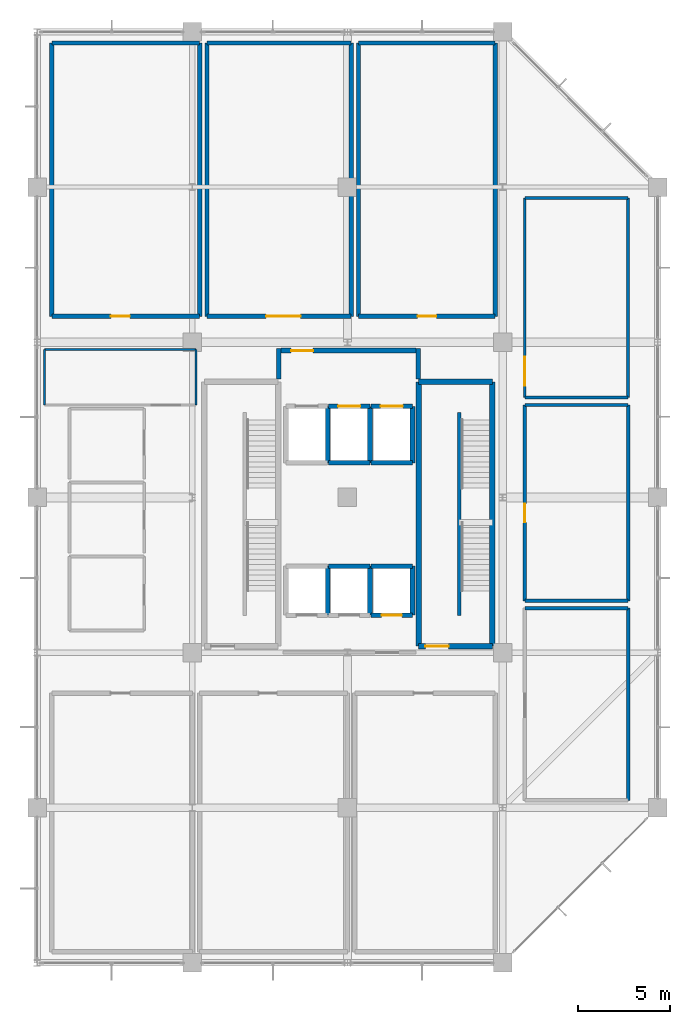
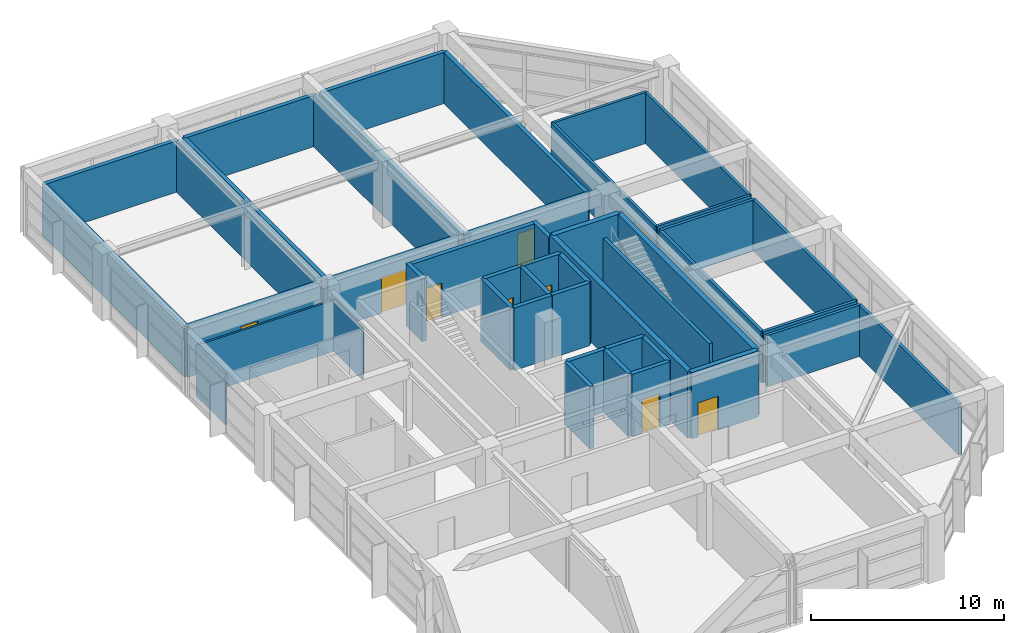
# One storey, part 13 of 15: 46 walls, 10 doors, 10 openings.
"""IFC4 building model written with IfcOpenShell, lengths in metres."""

import ifcopenshell
import ifcopenshell.guid

model = None  # the IFC model being written
_history = None  # IfcOwnerHistory: only IFC2X3 demands one
_inside = {}  # id of a spatial element -> (the spatial element, [elements in it])
_under = {}  # id of a project, library or spatial element -> (it, [spatial elements below it])
_declared = {}  # id of a project -> (the project, [libraries it declares])
_typed = {}  # id of a type object -> (the type object, [elements of that type])
_made_of = {}  # id of a material, layer set ... -> (it, [elements and type objects made of it])


def new_model(schema):
    """Start an empty IFC model of exactly this schema.

    Asked for "IFC4X3", IfcOpenShell would pick the latest addendum, in which some entities
    have other attributes; the version numbers below select the first issue.
    IFC2X3 requires an IfcOwnerHistory on every rooted entity: one is made here for all.
    """
    global model, _history
    if schema == "IFC4X3":
        model = ifcopenshell.file(schema_version=(4, 3, 0, 0))
    else:
        model = ifcopenshell.file(schema=schema)
    _inside.clear()
    _under.clear()
    _declared.clear()
    _typed.clear()
    _made_of.clear()
    _history = None
    if model.schema == "IFC2X3":
        org = make("IfcOrganization", Name="unknown")
        user = make(
            "IfcPersonAndOrganization",
            ThePerson=make("IfcPerson", FamilyName="unknown"),
            TheOrganization=org,
        )
        app = make(
            "IfcApplication",
            ApplicationDeveloper=org,
            Version="unknown",
            ApplicationFullName="unknown",
            ApplicationIdentifier="unknown",
        )
        _history = make(
            "IfcOwnerHistory",
            OwningUser=user,
            OwningApplication=app,
            ChangeAction="ADDED",
            CreationDate=0,
        )
    return model


def make(cls, **values):
    """One entity of the class cls with the attributes given. An attribute that is None is left unset."""
    return model.create_entity(
        cls, **{name: value for name, value in values.items() if value is not None}
    )


def rooted(cls, **values):
    """An entity with a GlobalId (a new one), such as an element, a storey or a relation."""
    return make(cls, GlobalId=ifcopenshell.guid.new(), OwnerHistory=_history, **values)


def si_unit(unit_type, name, prefix=None):
    """IfcSIUnit, for example si_unit("LENGTHUNIT", "METRE", prefix="MILLI")."""
    return make("IfcSIUnit", UnitType=unit_type, Prefix=prefix, Name=name)


def assignment(units):
    """IfcUnitAssignment: the units of a project."""
    return None if units is None else make("IfcUnitAssignment", Units=units)


def point(xyz):
    """IfcCartesianPoint."""
    return None if xyz is None else make("IfcCartesianPoint", Coordinates=xyz)


def direction(xyz):
    """IfcDirection."""
    return None if xyz is None else make("IfcDirection", DirectionRatios=xyz)


def frame(location, z_axis=None, x_axis=None):
    """IfcAxis2Placement3D, a coordinate frame: its origin and axes. An axis left out is left unset."""
    return make(
        "IfcAxis2Placement3D",
        Location=point(location),
        Axis=direction(z_axis),
        RefDirection=direction(x_axis),
    )


def frame_2d(location, x_axis=None):
    """IfcAxis2Placement2D, a coordinate frame in the plane: its origin and x axis."""
    return make(
        "IfcAxis2Placement2D", Location=point(location), RefDirection=direction(x_axis)
    )


def origin():
    """The frame at (0, 0, 0) with its axes left unset."""
    return frame((0.0, 0.0, 0.0))


def place(relative_to, where):
    """IfcLocalPlacement: puts the frame where relative to a parent placement (None: the world)."""
    return make(
        "IfcLocalPlacement", PlacementRelTo=relative_to, RelativePlacement=where
    )


def context(
    kind, dimensions, precision=None, world=None, true_north=None, identifier=None
):
    """IfcGeometricRepresentationContext, for example the 3D "Model" context."""
    return make(
        "IfcGeometricRepresentationContext",
        ContextIdentifier=identifier,
        ContextType=kind,
        CoordinateSpaceDimension=dimensions,
        Precision=precision,
        WorldCoordinateSystem=world,
        TrueNorth=true_north,
    )


def subcontext(parent, identifier, kind, view, scale=None):
    """IfcGeometricRepresentationSubContext, for example "Body" below "Model"."""
    return make(
        "IfcGeometricRepresentationSubContext",
        ContextIdentifier=identifier,
        ContextType=kind,
        ParentContext=parent,
        TargetScale=scale,
        TargetView=view,
    )


def project(units=None, contexts=None):
    """IfcProject with its units and contexts."""
    return rooted(
        "IfcProject",
        Name="project",
        RepresentationContexts=contexts,
        UnitsInContext=assignment(units),
    )


def spatial(cls, under=None, at=None, **own):
    """A site, building, storey or space (cls), placed at a placement, below another one or the project."""
    s = rooted(cls, ObjectPlacement=at, **own)
    if under is not None:
        _under.setdefault(under.id(), (under, []))[1].append(s)
    return s


def profile(cls, at=None, kind="AREA", **sizes):
    """A parametric profile (cls). Its sizes go by their IFC names, for example OverallWidth=200.0."""
    return make(cls, ProfileType=kind, Position=at, **sizes)


def rectangle(**sizes):
    """IfcRectangleProfileDef."""
    return profile("IfcRectangleProfileDef", **sizes)


def extrude(swept, where, along, depth):
    """IfcExtrudedAreaSolid: the profile swept, set in the frame where, extruded along a direction by depth."""
    return make(
        "IfcExtrudedAreaSolid",
        SweptArea=swept,
        Position=where,
        ExtrudedDirection=direction(along),
        Depth=depth,
    )


def shape(context_of_items, identifier, shape_type, items):
    """IfcShapeRepresentation: the items that make up one representation, for example the "Body"."""
    return make(
        "IfcShapeRepresentation",
        ContextOfItems=context_of_items,
        RepresentationIdentifier=identifier,
        RepresentationType=shape_type,
        Items=items,
    )


def material(Name=None, Category=None):
    """IfcMaterial."""
    return make("IfcMaterial", Name=Name, Category=Category)


def layer(
    of_material, thickness, ventilated=None, Name=None, Category=None, Priority=None
):
    """IfcMaterialLayer: one layer of a wall or slab, of a material (None: an air gap)."""
    return make(
        "IfcMaterialLayer",
        Material=of_material,
        LayerThickness=thickness,
        IsVentilated=ventilated,
        Name=Name,
        Category=Category,
        Priority=Priority,
    )


def layer_set(layers, Name=None):
    """IfcMaterialLayerSet."""
    return make("IfcMaterialLayerSet", MaterialLayers=layers, LayerSetName=Name)


def made_of(thing, what):
    """Note that an element or type object is made of a material, layer set ...; save() writes the relation."""
    if what is not None:
        _made_of.setdefault(what.id(), (what, []))[1].append(thing)
    return thing


def type_object(cls, material=None, **own):
    """A type object (cls), such as IfcWallType, which elements share."""
    return made_of(rooted(cls, **own), material)


def element(
    cls,
    number,
    at=None,
    inside=None,
    cuts=None,
    type_object=None,
    material=None,
    context=None,
    identifier="Body",
    shape_type=None,
    held_by="IfcProductDefinitionShape",
    body=None,
    shapes=None,
    **own,
):
    """One element of the class cls, such as IfcWall. Its Tag is "e" and its number.

    at: its placement. inside: the storey or other place that contains it. cuts: it is an
    opening in that element (IfcRelVoidsElement). A single representation is given by context,
    identifier, shape_type and body (its items); several are given by shapes. held_by: the class
    of the entity that holds the representations. save() writes the other relations.
    """
    e = rooted(cls, Tag="e%d" % number, ObjectPlacement=at, **own)
    if body is not None:
        shapes = [shape(context, identifier, shape_type, body)]
    if shapes is not None:
        e.Representation = make(held_by, Representations=shapes)
    if inside is not None:
        _inside.setdefault(inside.id(), (inside, []))[1].append(e)
    if cuts is not None:
        rooted(
            "IfcRelVoidsElement", RelatingBuildingElement=cuts, RelatedOpeningElement=e
        )
    if type_object is not None:
        _typed.setdefault(type_object.id(), (type_object, []))[1].append(e)
    return made_of(e, material)


def fill(opening, filler):
    """IfcRelFillsElement: the door or window that sits in an opening."""
    return rooted(
        "IfcRelFillsElement",
        RelatingOpeningElement=opening,
        RelatedBuildingElement=filler,
    )


def aggregate(whole, parts):
    """IfcRelAggregates: a whole, such as a stair, and the parts it consists of."""
    return rooted("IfcRelAggregates", RelatingObject=whole, RelatedObjects=parts)


def save(model, path):
    """Write the relations noted so far, then the file.

    IfcRelAggregates (storeys below a building ...), IfcRelContainedInSpatialStructure (elements
    in a storey), IfcRelDefinesByType, IfcRelAssociatesMaterial and IfcRelDeclares: one each for
    every whole, place, type object, material and project.
    """
    for whole, parts in _under.values():
        aggregate(whole, parts)
    for where, things in _inside.values():
        rooted(
            "IfcRelContainedInSpatialStructure",
            RelatedElements=things,
            RelatingStructure=where,
        )
    for kind, things in _typed.values():
        rooted("IfcRelDefinesByType", RelatedObjects=things, RelatingType=kind)
    for what, things in _made_of.values():
        rooted("IfcRelAssociatesMaterial", RelatedObjects=things, RelatingMaterial=what)
    for by, libraries in _declared.values():
        rooted("IfcRelDeclares", RelatingContext=by, RelatedDefinitions=libraries)
    model.write(path)


model = new_model("IFC4")

# Units and contexts
model_context = context("Model", 3, precision=1e-05, world=origin(), true_north=direction((0.0, 1.0)))
body_context = subcontext(model_context, "Body", "Model", "MODEL_VIEW")
ifc_project = project(units=[si_unit("LENGTHUNIT", "METRE"), si_unit("AREAUNIT", "SQUARE_METRE"), si_unit("VOLUMEUNIT", "CUBIC_METRE"), si_unit("PLANEANGLEUNIT", "RADIAN"), si_unit("MASSUNIT", "GRAM", prefix="KILO")], contexts=[model_context])

# Site, building, storey
site_placement = place(None, origin())
site = spatial("IfcSite", under=ifc_project, at=site_placement, CompositionType="ELEMENT")
building_placement = place(site_placement, origin())
building = spatial("IfcBuilding", under=site, at=building_placement, Name="Xuanlan Plaza Opera House", CompositionType="ELEMENT")
storey_placement = place(building_placement, frame((0.0, 0.0, 53.10009765625)))
storey = spatial("IfcBuildingStorey", under=building, at=storey_placement, Name="L12", CompositionType="ELEMENT", Elevation=53.10009765625)

# Wall, opening, door
ifc_material_1 = material(Name="Gypsum Board and Galvanised Steel Studs", Category="gypsum")
ifc_layer_1 = layer(ifc_material_1, 0.239990234375)
ifc_layer_set_1 = layer_set([ifc_layer_1], Name="Gypsum Board and Galvanised Steel Studs")
wall_type_1 = type_object("IfcWallType", Name="INT-WL-PW-01", PredefinedType="PARTITIONING", material=ifc_layer_set_1)
wall_1_placement = place(storey_placement, frame((126.800048828125, 68.60009765625, 0.0), z_axis=(0.0, 0.0, 1.0), x_axis=(1.0, 0.0, 0.0)))
wall_1 = element("IfcWall", 1, at=wall_1_placement, inside=storey, type_object=wall_type_1, Name="Chamber Coaching Studio 1 Wall South", PredefinedType="PARTITIONING", context=body_context, shape_type="SweptSolid", body=[
    extrude(rectangle(XDim=8.0, YDim=0.239990234375, at=frame_2d((4.0, 0.0))), origin(), (0.0, 0.0, 1.0), 3.239990234375),
])
opening_1_placement = place(wall_1_placement, frame((3.199951171875, 0.0, 0.0)))
opening_1 = element("IfcOpeningElement", 2, at=opening_1_placement, cuts=wall_1, Name="Opening D-02", PredefinedType="OPENING", context=body_context, shape_type="SweptSolid", body=[
    extrude(rectangle(XDim=1.02001953125, YDim=2.10009765625, at=frame_2d((0.510009765625, 1.050048828125))), frame((0.0, 0.1298828125, 0.0), z_axis=(0.0, -1.0, 0.0), x_axis=(1.0, 0.0, 0.0)), (0.0, 0.0, 1.0), 0.260009765625),
])
ifc_material_2 = material(Name="Oak Hardwood Timber", Category="wood")
door_type_1 = type_object("IfcDoorType", Name="INT-DR-D-02", OperationType="NOTDEFINED", PredefinedType="DOOR", material=ifc_material_2)
door_1_placement = place(opening_1_placement, origin())
door_1 = element("IfcDoor", 3, at=door_1_placement, inside=storey, type_object=door_type_1, Name="Chamber Coaching Studio 1 Door 1", OperationType="SINGLE_SWING_LEFT", OverallHeight=2.10009765625, OverallWidth=1.02001953125, PredefinedType="DOOR", context=body_context, shape_type="SweptSolid", body=[
    extrude(rectangle(XDim=1.02001953125, YDim=2.10009765625, at=frame_2d((0.510009765625, 1.050048828125))), frame((0.0, 0.02490234375, 0.0), z_axis=(0.0, -1.0, 0.0), x_axis=(1.0, 0.0, 0.0)), (0.0, 0.0, 1.0), 0.050048828125),
])
fill(opening_1, door_1)

# Walls
wall_2_placement = place(storey_placement, frame((126.800048828125, 83.39990234375, 0.0), z_axis=(0.0, 0.0, 1.0), x_axis=(1.0, 0.0, 0.0)))
element("IfcWall", 4, at=wall_2_placement, inside=storey, type_object=wall_type_1, Name="Chamber Coaching Studio 1 Wall North", PredefinedType="PARTITIONING", context=body_context, shape_type="SweptSolid", body=[
    extrude(rectangle(XDim=8.0, YDim=0.239990234375, at=frame_2d((4.0, 0.0))), origin(), (0.0, 0.0, 1.0), 3.239990234375),
])
for number, where, z_axis, x_axis, name in (
    (5, (126.800048828125, 68.60009765625, 0.0), (0.0, 0.0, 1.0), (0.0, 1.0, 0.0), "Chamber Coaching Studio 1 Wall West"),
    (6, (134.800048828125, 68.60009765625, 0.0), (0.0, 0.0, 1.0), (0.0, 1.0, 0.0), "Chamber Coaching Studio 1 Wall East"),
):
    element("IfcWall", number, at=place(storey_placement, frame(where, z_axis=z_axis, x_axis=x_axis)), inside=storey, type_object=wall_type_1, Name=name, PredefinedType="PARTITIONING", context=body_context, shape_type="SweptSolid", body=[
        extrude(rectangle(XDim=14.7998046875, YDim=0.239990234375, at=frame_2d((7.39990234375, 0.0))), origin(), (0.0, 0.0, 1.0), 3.239990234375),
    ])

# Wall, opening, door
wall_3_placement = place(storey_placement, frame((135.199951171875, 68.60009765625, 0.0), z_axis=(0.0, 0.0, 1.0), x_axis=(1.0, 0.0, 0.0)))
wall_3 = element("IfcWall", 7, at=wall_3_placement, inside=storey, type_object=wall_type_1, Name="Chamber Coaching Studio 2 Wall South", PredefinedType="PARTITIONING", context=body_context, shape_type="SweptSolid", body=[
    extrude(rectangle(XDim=7.800048828125, YDim=0.239990234375, at=frame_2d((3.89990234375, 0.0))), origin(), (0.0, 0.0, 1.0), 3.239990234375),
])
opening_2_placement = place(wall_3_placement, frame((3.199951171875, 0.0, 0.0)))
opening_2 = element("IfcOpeningElement", 8, at=opening_2_placement, cuts=wall_3, Name="Opening D-15", PredefinedType="OPENING", context=body_context, shape_type="SweptSolid", body=[
    extrude(rectangle(XDim=1.860107421875, YDim=2.260009765625, at=frame_2d((0.93017578125, 1.1298828125))), frame((0.0, 0.1298828125, 0.0), z_axis=(0.0, -1.0, 0.0), x_axis=(1.0, 0.0, 0.0)), (0.0, 0.0, 1.0), 0.260009765625),
])
ifc_material_3 = material(Name="Walnut Hardwood Timber", Category="wood")
door_type_2 = type_object("IfcDoorType", Name="INT-DR-D-15", OperationType="DOUBLE_DOOR_SINGLE_SWING", PredefinedType="DOOR", material=ifc_material_3)
door_2_placement = place(opening_2_placement, origin())
door_2 = element("IfcDoor", 9, at=door_2_placement, inside=storey, type_object=door_type_2, Name="Chamber Coaching Studio 2 Door 1", OperationType="DOUBLE_DOOR_SINGLE_SWING", OverallHeight=2.260009765625, OverallWidth=1.860107421875, PredefinedType="DOOR", context=body_context, shape_type="SweptSolid", body=[
    extrude(rectangle(XDim=1.860107421875, YDim=2.260009765625, at=frame_2d((0.93017578125, 1.1298828125))), frame((0.0, 0.02490234375, 0.0), z_axis=(0.0, -1.0, 0.0), x_axis=(1.0, 0.0, 0.0)), (0.0, 0.0, 1.0), 0.050048828125),
])
fill(opening_2, door_2)

# Walls
wall_4_placement = place(storey_placement, frame((135.199951171875, 83.39990234375, 0.0), z_axis=(0.0, 0.0, 1.0), x_axis=(1.0, 0.0, 0.0)))
element("IfcWall", 10, at=wall_4_placement, inside=storey, type_object=wall_type_1, Name="Chamber Coaching Studio 2 Wall North", PredefinedType="PARTITIONING", context=body_context, shape_type="SweptSolid", body=[
    extrude(rectangle(XDim=7.800048828125, YDim=0.239990234375, at=frame_2d((3.89990234375, 0.0))), origin(), (0.0, 0.0, 1.0), 3.239990234375),
])
for number, where, z_axis, x_axis, name in (
    (11, (135.199951171875, 68.60009765625, 0.0), (0.0, 0.0, 1.0), (0.0, 1.0, 0.0), "Chamber Coaching Studio 2 Wall West"),
    (12, (143.0, 68.60009765625, 0.0), (0.0, 0.0, 1.0), (0.0, 1.0, 0.0), "Chamber Coaching Studio 2 Wall East"),
):
    element("IfcWall", number, at=place(storey_placement, frame(where, z_axis=z_axis, x_axis=x_axis)), inside=storey, type_object=wall_type_1, Name=name, PredefinedType="PARTITIONING", context=body_context, shape_type="SweptSolid", body=[
        extrude(rectangle(XDim=14.7998046875, YDim=0.239990234375, at=frame_2d((7.39990234375, 0.0))), origin(), (0.0, 0.0, 1.0), 3.239990234375),
    ])

# Wall, opening, door
wall_5_placement = place(storey_placement, frame((143.39990234375, 68.60009765625, 0.0), z_axis=(0.0, 0.0, 1.0), x_axis=(1.0, 0.0, 0.0)))
wall_5 = element("IfcWall", 13, at=wall_5_placement, inside=storey, type_object=wall_type_1, Name="Chamber Coaching Studio 3 Wall South", PredefinedType="PARTITIONING", context=body_context, shape_type="SweptSolid", body=[
    extrude(rectangle(XDim=7.400146484375, YDim=0.239990234375, at=frame_2d((3.7001953125, 0.0))), origin(), (0.0, 0.0, 1.0), 3.239990234375),
])
opening_3_placement = place(wall_5_placement, frame((3.199951171875, 0.0, 0.0)))
opening_3 = element("IfcOpeningElement", 14, at=opening_3_placement, cuts=wall_5, Name="Opening D-02", PredefinedType="OPENING", context=body_context, shape_type="SweptSolid", body=[
    extrude(rectangle(XDim=1.02001953125, YDim=2.10009765625, at=frame_2d((0.510009765625, 1.050048828125))), frame((0.0, 0.1298828125, 0.0), z_axis=(0.0, -1.0, 0.0), x_axis=(1.0, 0.0, 0.0)), (0.0, 0.0, 1.0), 0.260009765625),
])
door_3_placement = place(opening_3_placement, origin())
door_3 = element("IfcDoor", 15, at=door_3_placement, inside=storey, type_object=door_type_1, Name="Chamber Coaching Studio 3 Door 1", OperationType="SINGLE_SWING_LEFT", OverallHeight=2.10009765625, OverallWidth=1.02001953125, PredefinedType="DOOR", context=body_context, shape_type="SweptSolid", body=[
    extrude(rectangle(XDim=1.02001953125, YDim=2.10009765625, at=frame_2d((0.510009765625, 1.050048828125))), frame((0.0, 0.02490234375, 0.0), z_axis=(0.0, -1.0, 0.0), x_axis=(1.0, 0.0, 0.0)), (0.0, 0.0, 1.0), 0.050048828125),
])
fill(opening_3, door_3)

# Walls
wall_6_placement = place(storey_placement, frame((143.39990234375, 83.39990234375, 0.0), z_axis=(0.0, 0.0, 1.0), x_axis=(1.0, 0.0, 0.0)))
element("IfcWall", 16, at=wall_6_placement, inside=storey, type_object=wall_type_1, Name="Chamber Coaching Studio 3 Wall North", PredefinedType="PARTITIONING", context=body_context, shape_type="SweptSolid", body=[
    extrude(rectangle(XDim=7.400146484375, YDim=0.239990234375, at=frame_2d((3.7001953125, 0.0))), origin(), (0.0, 0.0, 1.0), 3.239990234375),
])
for number, where, z_axis, x_axis, name in (
    (17, (143.39990234375, 68.60009765625, 0.0), (0.0, 0.0, 1.0), (0.0, 1.0, 0.0), "Chamber Coaching Studio 3 Wall West"),
    (18, (150.800048828125, 68.60009765625, 0.0), (0.0, 0.0, 1.0), (0.0, 1.0, 0.0), "Chamber Coaching Studio 3 Wall East"),
):
    element("IfcWall", number, at=place(storey_placement, frame(where, z_axis=z_axis, x_axis=x_axis)), inside=storey, type_object=wall_type_1, Name=name, PredefinedType="PARTITIONING", context=body_context, shape_type="SweptSolid", body=[
        extrude(rectangle(XDim=14.7998046875, YDim=0.239990234375, at=frame_2d((7.39990234375, 0.0))), origin(), (0.0, 0.0, 1.0), 3.239990234375),
    ])
ifc_layer_2 = layer(ifc_material_1, 0.179931640625)
ifc_layer_set_2 = layer_set([ifc_layer_2], Name="Gypsum Board and Galvanised Steel Studs")
wall_type_2 = type_object("IfcWallType", Name="INT-WL-PW-02", PredefinedType="PARTITIONING", material=ifc_layer_set_2)
wall_7_placement = place(storey_placement, frame((152.39990234375, 52.800048828125, 0.0), z_axis=(0.0, 0.0, 1.0), x_axis=(1.0, 0.0, 0.0)))
element("IfcWall", 19, at=wall_7_placement, inside=storey, type_object=wall_type_2, Name="Libretto and Media Editing Room 1 Wall North", PredefinedType="PARTITIONING", context=body_context, shape_type="SweptSolid", body=[
    extrude(rectangle(XDim=5.60009765625, YDim=0.179931640625, at=frame_2d((2.800048828125, 0.0))), origin(), (0.0, 0.0, 1.0), 3.239990234375),
])
wall_8_placement = place(storey_placement, frame((158.0, 42.39990234375, 0.0), z_axis=(0.0, 0.0, 1.0), x_axis=(0.0, 1.0, 0.0)))
element("IfcWall", 20, at=wall_8_placement, inside=storey, type_object=wall_type_2, Name="Libretto and Media Editing Room 1 Wall East", PredefinedType="PARTITIONING", context=body_context, shape_type="SweptSolid", body=[
    extrude(rectangle(XDim=10.400146484375, YDim=0.179931640625, at=frame_2d((5.2001953125, 0.0))), origin(), (0.0, 0.0, 1.0), 3.239990234375),
])
for number, where, z_axis, x_axis, name in (
    (21, (152.39990234375, 53.199951171875, 0.0), (0.0, 0.0, 1.0), (1.0, 0.0, 0.0), "Libretto and Media Editing Room 2 Wall South"),
    (22, (152.39990234375, 63.800048828125, 0.0), (0.0, 0.0, 1.0), (1.0, 0.0, 0.0), "Libretto and Media Editing Room 2 Wall North"),
):
    element("IfcWall", number, at=place(storey_placement, frame(where, z_axis=z_axis, x_axis=x_axis)), inside=storey, type_object=wall_type_2, Name=name, PredefinedType="PARTITIONING", context=body_context, shape_type="SweptSolid", body=[
        extrude(rectangle(XDim=5.60009765625, YDim=0.179931640625, at=frame_2d((2.800048828125, 0.0))), origin(), (0.0, 0.0, 1.0), 3.239990234375),
    ])

# Wall, opening, door
wall_9_placement = place(storey_placement, frame((152.39990234375, 53.199951171875, 0.0), z_axis=(0.0, 0.0, 1.0), x_axis=(0.0, 1.0, 0.0)))
wall_9 = element("IfcWall", 23, at=wall_9_placement, inside=storey, type_object=wall_type_2, Name="Libretto and Media Editing Room 2 Wall West", PredefinedType="PARTITIONING", context=body_context, shape_type="SweptSolid", body=[
    extrude(rectangle(XDim=10.60009765625, YDim=0.179931640625, at=frame_2d((5.300048828125, 0.0))), origin(), (0.0, 0.0, 1.0), 3.239990234375),
])
opening_4_placement = place(wall_9_placement, frame((4.25, 0.0, 0.0)))
opening_4 = element("IfcOpeningElement", 24, at=opening_4_placement, cuts=wall_9, Name="Opening D-02", PredefinedType="OPENING", context=body_context, shape_type="SweptSolid", body=[
    extrude(rectangle(XDim=1.02001953125, YDim=2.10009765625, at=frame_2d((0.510009765625, 1.050048828125))), frame((0.0, 0.099853515625, 0.0), z_axis=(0.0, -1.0, 0.0), x_axis=(1.0, 0.0, 0.0)), (0.0, 0.0, 1.0), 0.199951171875),
])
door_4_placement = place(opening_4_placement, origin())
door_4 = element("IfcDoor", 25, at=door_4_placement, inside=storey, type_object=door_type_1, Name="Libretto and Media Editing Room 2 Door 1", OperationType="SINGLE_SWING_LEFT", OverallHeight=2.10009765625, OverallWidth=1.02001953125, PredefinedType="DOOR", context=body_context, shape_type="SweptSolid", body=[
    extrude(rectangle(XDim=1.02001953125, YDim=2.10009765625, at=frame_2d((0.510009765625, 1.050048828125))), frame((0.0, 0.02490234375, 0.0), z_axis=(0.0, -1.0, 0.0), x_axis=(1.0, 0.0, 0.0)), (0.0, 0.0, 1.0), 0.050048828125),
])
fill(opening_4, door_4)

# Walls
wall_10_placement = place(storey_placement, frame((158.0, 53.199951171875, 0.0), z_axis=(0.0, 0.0, 1.0), x_axis=(0.0, 1.0, 0.0)))
element("IfcWall", 26, at=wall_10_placement, inside=storey, type_object=wall_type_2, Name="Libretto and Media Editing Room 2 Wall East", PredefinedType="PARTITIONING", context=body_context, shape_type="SweptSolid", body=[
    extrude(rectangle(XDim=10.60009765625, YDim=0.179931640625, at=frame_2d((5.300048828125, 0.0))), origin(), (0.0, 0.0, 1.0), 3.239990234375),
])
ifc_layer_3 = layer(ifc_material_1, 0.1201171875)
ifc_layer_set_3 = layer_set([ifc_layer_3], Name="Gypsum Board and Galvanised Steel Studs")
wall_type_3 = type_object("IfcWallType", Name="INT-WL-PW-04", PredefinedType="PARTITIONING", material=ifc_layer_set_3)
wall_11_placement = place(storey_placement, frame((126.39990234375, 66.800048828125, 0.0), z_axis=(0.0, 0.0, 1.0), x_axis=(1.0, 0.0, 0.0)))
element("IfcWall", 27, at=wall_11_placement, inside=storey, type_object=wall_type_3, Name="Acoustics Research Studio Wall North", PredefinedType="PARTITIONING", context=body_context, shape_type="SweptSolid", body=[
    extrude(rectangle(XDim=8.2001953125, YDim=0.1201171875, at=frame_2d((4.10009765625, 0.0))), origin(), (0.0, 0.0, 1.0), 3.239990234375),
])
for number, where, z_axis, x_axis, name in (
    (28, (126.39990234375, 63.800048828125, 0.0), (0.0, 0.0, 1.0), (0.0, 1.0, 0.0), "Acoustics Research Studio Wall West"),
    (29, (134.60009765625, 63.800048828125, 0.0), (0.0, 0.0, 1.0), (0.0, 1.0, 0.0), "Acoustics Research Studio Wall East"),
):
    element("IfcWall", number, at=place(storey_placement, frame(where, z_axis=z_axis, x_axis=x_axis)), inside=storey, type_object=wall_type_3, Name=name, PredefinedType="PARTITIONING", context=body_context, shape_type="SweptSolid", body=[
        extrude(rectangle(XDim=3.0, YDim=0.1201171875, at=frame_2d((1.5, 0.0))), origin(), (0.0, 0.0, 1.0), 3.239990234375),
    ])
ifc_layer_4 = layer(ifc_material_1, 0.159912109375)
ifc_layer_set_4 = layer_set([ifc_layer_4], Name="Gypsum Board and Galvanised Steel Studs")
wall_type_4 = type_object("IfcWallType", Name="INT-WL-PW-05", PredefinedType="PARTITIONING", material=ifc_layer_set_4)
for number, where, z_axis, x_axis, name in (
    (30, (152.39990234375, 64.199951171875, 0.0), (0.0, 0.0, 1.0), (1.0, 0.0, 0.0), "Libretto and Media Editing Room 3 Wall South"),
    (31, (152.39990234375, 75.0, 0.0), (0.0, 0.0, 1.0), (1.0, 0.0, 0.0), "Libretto and Media Editing Room 3 Wall North"),
):
    element("IfcWall", number, at=place(storey_placement, frame(where, z_axis=z_axis, x_axis=x_axis)), inside=storey, type_object=wall_type_4, Name=name, PredefinedType="PARTITIONING", context=body_context, shape_type="SweptSolid", body=[
        extrude(rectangle(XDim=5.60009765625, YDim=0.159912109375, at=frame_2d((2.800048828125, 0.0))), origin(), (0.0, 0.0, 1.0), 3.239990234375),
    ])

# Wall, opening, door
wall_12_placement = place(storey_placement, frame((152.39990234375, 64.199951171875, 0.0), z_axis=(0.0, 0.0, 1.0), x_axis=(0.0, 1.0, 0.0)))
wall_12 = element("IfcWall", 32, at=wall_12_placement, inside=storey, type_object=wall_type_4, Name="Libretto and Media Editing Room 3 Wall West", PredefinedType="PARTITIONING", context=body_context, shape_type="SweptSolid", body=[
    extrude(rectangle(XDim=10.800048828125, YDim=0.159912109375, at=frame_2d((5.39990234375, 0.0))), origin(), (0.0, 0.0, 1.0), 3.239990234375),
])
opening_5_placement = place(wall_12_placement, frame((0.64990234375, 0.0, 0.0)))
opening_5 = element("IfcOpeningElement", 33, at=opening_5_placement, cuts=wall_12, Name="Opening D-13", PredefinedType="OPENING", context=body_context, shape_type="SweptSolid", body=[
    extrude(rectangle(XDim=1.56005859375, YDim=2.199951171875, at=frame_2d((0.780029296875, 1.10009765625))), frame((0.0, 0.08984375, 0.0), z_axis=(0.0, -1.0, 0.0), x_axis=(1.0, 0.0, 0.0)), (0.0, 0.0, 1.0), 0.179931640625),
])
door_type_3 = type_object("IfcDoorType", Name="INT-DR-D-13", OperationType="DOUBLE_DOOR_SINGLE_SWING", PredefinedType="DOOR", material=ifc_material_3)
door_5_placement = place(opening_5_placement, origin())
door_5 = element("IfcDoor", 34, at=door_5_placement, inside=storey, type_object=door_type_3, Name="Libretto and Media Editing Room 3 Door 1", OperationType="DOUBLE_DOOR_SINGLE_SWING", OverallHeight=2.199951171875, OverallWidth=1.56005859375, PredefinedType="DOOR", context=body_context, shape_type="SweptSolid", body=[
    extrude(rectangle(XDim=1.56005859375, YDim=2.199951171875, at=frame_2d((0.780029296875, 1.10009765625))), frame((0.0, 0.02490234375, 0.0), z_axis=(0.0, -1.0, 0.0), x_axis=(1.0, 0.0, 0.0)), (0.0, 0.0, 1.0), 0.050048828125),
])
fill(opening_5, door_5)

# Walls
wall_13_placement = place(storey_placement, frame((158.0, 64.199951171875, 0.0), z_axis=(0.0, 0.0, 1.0), x_axis=(0.0, 1.0, 0.0)))
element("IfcWall", 35, at=wall_13_placement, inside=storey, type_object=wall_type_4, Name="Libretto and Media Editing Room 3 Wall East", PredefinedType="PARTITIONING", context=body_context, shape_type="SweptSolid", body=[
    extrude(rectangle(XDim=10.800048828125, YDim=0.159912109375, at=frame_2d((5.39990234375, 0.0))), origin(), (0.0, 0.0, 1.0), 3.239990234375),
])
ifc_material_4 = material(Name="Concrete C40", Category="concrete")
ifc_layer_5 = layer(ifc_material_4, 0.25)
ifc_layer_set_5 = layer_set([ifc_layer_5], Name="Concrete C40")
wall_type_5 = type_object("IfcWallType", Name="INT-WL-SW-LF1", PredefinedType="SHEAR", material=ifc_layer_set_5)
wall_14_placement = place(storey_placement, frame((141.72509765625, 60.675048828125, 0.0), z_axis=(0.0, 0.0, 1.0), x_axis=(0.0, 1.0, 0.0)))
element("IfcWall", 36, at=wall_14_placement, inside=storey, type_object=wall_type_5, Name="Lift Shaft Wall LF-FF1 L12 East", PredefinedType="SHEAR", context=body_context, shape_type="SweptSolid", body=[
    extrude(rectangle(XDim=3.050048828125, YDim=0.25, at=frame_2d((1.52490234375, 0.0))), origin(), (0.0, 0.0, 1.0), 3.9599609375),
])
wall_15_placement = place(storey_placement, frame((141.77490234375, 60.675048828125, 0.0), z_axis=(0.0, 0.0, 1.0), x_axis=(1.0, 0.0, 0.0)))
element("IfcWall", 37, at=wall_15_placement, inside=storey, type_object=wall_type_5, Name="Lift Shaft Wall LF-FF2 L12 South", PredefinedType="SHEAR", context=body_context, shape_type="SweptSolid", body=[
    extrude(rectangle(XDim=2.25, YDim=0.25, at=frame_2d((1.125, 0.0))), origin(), (0.0, 0.0, 1.0), 3.9599609375),
])

# Wall, opening, door
wall_16_placement = place(storey_placement, frame((141.77490234375, 63.72509765625, 0.0), z_axis=(0.0, 0.0, 1.0), x_axis=(1.0, 0.0, 0.0)))
wall_16 = element("IfcWall", 38, at=wall_16_placement, inside=storey, type_object=wall_type_5, Name="Lift Shaft Wall LF-FF2 L12 North", PredefinedType="SHEAR", context=body_context, shape_type="SweptSolid", body=[
    extrude(rectangle(XDim=2.25, YDim=0.25, at=frame_2d((1.125, 0.0))), origin(), (0.0, 0.0, 1.0), 3.9599609375),
])
opening_6_placement = place(wall_16_placement, frame((0.52490234375, 0.0, 0.0)))
opening_6 = element("IfcOpeningElement", 39, at=opening_6_placement, cuts=wall_16, Name="Opening LD-FF2-L12", PredefinedType="OPENING", context=body_context, shape_type="SweptSolid", body=[
    extrude(rectangle(XDim=1.199951171875, YDim=2.179931640625, at=frame_2d((0.60009765625, 1.08984375))), frame((0.0, 0.135009765625, 0.0), z_axis=(0.0, -1.0, 0.0), x_axis=(1.0, 0.0, 0.0)), (0.0, 0.0, 1.0), 0.27001953125),
])
ifc_material_5 = material(Name="Stainless Steel S30408", Category="steel")
door_type_4 = type_object("IfcDoorType", Name="INT-DR-LD-02", OperationType="DOUBLE_DOOR_SLIDING", PredefinedType="DOOR", material=ifc_material_5)
door_6_placement = place(opening_6_placement, origin())
door_6 = element("IfcDoor", 40, at=door_6_placement, inside=storey, type_object=door_type_4, Name="Lift Sliding Landing Door LF-FF2 L12", OperationType="DOUBLE_DOOR_SLIDING", OverallHeight=2.179931640625, OverallWidth=1.199951171875, PredefinedType="DOOR", context=body_context, shape_type="SweptSolid", body=[
    extrude(rectangle(XDim=1.199951171875, YDim=2.179931640625, at=frame_2d((0.60009765625, 1.08984375))), frame((0.0, 0.02490234375, 0.0), z_axis=(0.0, -1.0, 0.0), x_axis=(1.0, 0.0, 0.0)), (0.0, 0.0, 1.0), 0.050048828125),
])
fill(opening_6, door_6)

# Walls
wall_17_placement = place(storey_placement, frame((144.02490234375, 60.675048828125, 0.0), z_axis=(0.0, 0.0, 1.0), x_axis=(0.0, 1.0, 0.0)))
element("IfcWall", 41, at=wall_17_placement, inside=storey, type_object=wall_type_5, Name="Lift Shaft Wall LF-FF2 L12 East", PredefinedType="SHEAR", context=body_context, shape_type="SweptSolid", body=[
    extrude(rectangle(XDim=3.050048828125, YDim=0.25, at=frame_2d((1.52490234375, 0.0))), origin(), (0.0, 0.0, 1.0), 3.9599609375),
])
wall_18_placement = place(storey_placement, frame((144.074951171875, 60.675048828125, 0.0), z_axis=(0.0, 0.0, 1.0), x_axis=(1.0, 0.0, 0.0)))
element("IfcWall", 42, at=wall_18_placement, inside=storey, type_object=wall_type_5, Name="Lift Shaft Wall LF-FF3 L12 South", PredefinedType="SHEAR", context=body_context, shape_type="SweptSolid", body=[
    extrude(rectangle(XDim=2.25, YDim=0.25, at=frame_2d((1.125, 0.0))), origin(), (0.0, 0.0, 1.0), 3.9599609375),
])

# Wall, opening, door
wall_19_placement = place(storey_placement, frame((144.074951171875, 63.72509765625, 0.0), z_axis=(0.0, 0.0, 1.0), x_axis=(1.0, 0.0, 0.0)))
wall_19 = element("IfcWall", 43, at=wall_19_placement, inside=storey, type_object=wall_type_5, Name="Lift Shaft Wall LF-FF3 L12 North", PredefinedType="SHEAR", context=body_context, shape_type="SweptSolid", body=[
    extrude(rectangle(XDim=2.25, YDim=0.25, at=frame_2d((1.125, 0.0))), origin(), (0.0, 0.0, 1.0), 3.9599609375),
])
opening_7_placement = place(wall_19_placement, frame((0.52490234375, 0.0, 0.0)))
opening_7 = element("IfcOpeningElement", 44, at=opening_7_placement, cuts=wall_19, Name="Opening LD-FF3-L12", PredefinedType="OPENING", context=body_context, shape_type="SweptSolid", body=[
    extrude(rectangle(XDim=1.199951171875, YDim=2.179931640625, at=frame_2d((0.60009765625, 1.08984375))), frame((0.0, 0.135009765625, 0.0), z_axis=(0.0, -1.0, 0.0), x_axis=(1.0, 0.0, 0.0)), (0.0, 0.0, 1.0), 0.27001953125),
])
door_7_placement = place(opening_7_placement, origin())
door_7 = element("IfcDoor", 45, at=door_7_placement, inside=storey, type_object=door_type_4, Name="Lift Sliding Landing Door LF-FF3 L12", OperationType="DOUBLE_DOOR_SLIDING", OverallHeight=2.179931640625, OverallWidth=1.199951171875, PredefinedType="DOOR", context=body_context, shape_type="SweptSolid", body=[
    extrude(rectangle(XDim=1.199951171875, YDim=2.179931640625, at=frame_2d((0.60009765625, 1.08984375))), frame((0.0, 0.02490234375, 0.0), z_axis=(0.0, -1.0, 0.0), x_axis=(1.0, 0.0, 0.0)), (0.0, 0.0, 1.0), 0.050048828125),
])
fill(opening_7, door_7)

# Walls
wall_20_placement = place(storey_placement, frame((146.324951171875, 60.675048828125, 0.0), z_axis=(0.0, 0.0, 1.0), x_axis=(0.0, 1.0, 0.0)))
element("IfcWall", 46, at=wall_20_placement, inside=storey, type_object=wall_type_5, Name="Lift Shaft Wall LF-FF3 L12 East", PredefinedType="SHEAR", context=body_context, shape_type="SweptSolid", body=[
    extrude(rectangle(XDim=3.050048828125, YDim=0.25, at=frame_2d((1.52490234375, 0.0))), origin(), (0.0, 0.0, 1.0), 3.9599609375),
])
wall_21_placement = place(storey_placement, frame((141.72509765625, 52.425048828125, 0.0), z_axis=(0.0, 0.0, 1.0), x_axis=(0.0, 1.0, 0.0)))
element("IfcWall", 47, at=wall_21_placement, inside=storey, type_object=wall_type_5, Name="Lift Shaft Wall LF-P1 L12 East", PredefinedType="SHEAR", context=body_context, shape_type="SweptSolid", body=[
    extrude(rectangle(XDim=2.64990234375, YDim=0.25, at=frame_2d((1.324951171875, 0.0))), origin(), (0.0, 0.0, 1.0), 3.9599609375),
])
wall_22_placement = place(storey_placement, frame((141.77490234375, 55.074951171875, 0.0), z_axis=(0.0, 0.0, 1.0), x_axis=(1.0, 0.0, 0.0)))
element("IfcWall", 48, at=wall_22_placement, inside=storey, type_object=wall_type_5, Name="Lift Shaft Wall LF-P2 L12 North", PredefinedType="SHEAR", context=body_context, shape_type="SweptSolid", body=[
    extrude(rectangle(XDim=2.25, YDim=0.25, at=frame_2d((1.125, 0.0))), origin(), (0.0, 0.0, 1.0), 3.9599609375),
])
wall_23_placement = place(storey_placement, frame((144.02490234375, 52.425048828125, 0.0), z_axis=(0.0, 0.0, 1.0), x_axis=(0.0, 1.0, 0.0)))
element("IfcWall", 49, at=wall_23_placement, inside=storey, type_object=wall_type_5, Name="Lift Shaft Wall LF-P2 L12 East", PredefinedType="SHEAR", context=body_context, shape_type="SweptSolid", body=[
    extrude(rectangle(XDim=2.64990234375, YDim=0.25, at=frame_2d((1.324951171875, 0.0))), origin(), (0.0, 0.0, 1.0), 3.9599609375),
])

# Wall, opening, door
wall_24_placement = place(storey_placement, frame((144.074951171875, 52.425048828125, 0.0), z_axis=(0.0, 0.0, 1.0), x_axis=(1.0, 0.0, 0.0)))
wall_24 = element("IfcWall", 50, at=wall_24_placement, inside=storey, type_object=wall_type_5, Name="Lift Shaft Wall LF-P3 L12 South", PredefinedType="SHEAR", context=body_context, shape_type="SweptSolid", body=[
    extrude(rectangle(XDim=2.25, YDim=0.25, at=frame_2d((1.125, 0.0))), origin(), (0.0, 0.0, 1.0), 3.9599609375),
])
opening_8_placement = place(wall_24_placement, frame((0.574951171875, 0.0, 0.0)))
opening_8 = element("IfcOpeningElement", 51, at=opening_8_placement, cuts=wall_24, Name="Opening LD-P3-L12", PredefinedType="OPENING", context=body_context, shape_type="SweptSolid", body=[
    extrude(rectangle(XDim=1.10009765625, YDim=2.14990234375, at=frame_2d((0.550048828125, 1.074951171875))), frame((0.0, 0.135009765625, 0.0), z_axis=(0.0, -1.0, 0.0), x_axis=(1.0, 0.0, 0.0)), (0.0, 0.0, 1.0), 0.27001953125),
])
door_type_5 = type_object("IfcDoorType", Name="INT-DR-LD-01", OperationType="DOUBLE_DOOR_SLIDING", PredefinedType="DOOR", material=ifc_material_5)
door_8_placement = place(opening_8_placement, origin())
door_8 = element("IfcDoor", 52, at=door_8_placement, inside=storey, type_object=door_type_5, Name="Lift Sliding Landing Door LF-P3 L12", OperationType="DOUBLE_DOOR_SLIDING", OverallHeight=2.14990234375, OverallWidth=1.10009765625, PredefinedType="DOOR", context=body_context, shape_type="SweptSolid", body=[
    extrude(rectangle(XDim=1.10009765625, YDim=2.14990234375, at=frame_2d((0.550048828125, 1.074951171875))), frame((0.0, 0.02490234375, 0.0), z_axis=(0.0, -1.0, 0.0), x_axis=(1.0, 0.0, 0.0)), (0.0, 0.0, 1.0), 0.050048828125),
])
fill(opening_8, door_8)

# Walls
wall_25_placement = place(storey_placement, frame((144.074951171875, 55.074951171875, 0.0), z_axis=(0.0, 0.0, 1.0), x_axis=(1.0, 0.0, 0.0)))
element("IfcWall", 53, at=wall_25_placement, inside=storey, type_object=wall_type_5, Name="Lift Shaft Wall LF-P3 L12 North", PredefinedType="SHEAR", context=body_context, shape_type="SweptSolid", body=[
    extrude(rectangle(XDim=2.25, YDim=0.25, at=frame_2d((1.125, 0.0))), origin(), (0.0, 0.0, 1.0), 3.9599609375),
])
wall_26_placement = place(storey_placement, frame((146.324951171875, 52.425048828125, 0.0), z_axis=(0.0, 0.0, 1.0), x_axis=(0.0, 1.0, 0.0)))
element("IfcWall", 54, at=wall_26_placement, inside=storey, type_object=wall_type_5, Name="Lift Shaft Wall LF-P3 L12 East", PredefinedType="SHEAR", context=body_context, shape_type="SweptSolid", body=[
    extrude(rectangle(XDim=2.64990234375, YDim=0.25, at=frame_2d((1.324951171875, 0.0))), origin(), (0.0, 0.0, 1.0), 3.9599609375),
])
for number, where, z_axis, x_axis, name in (
    (55, (139.074951171875, 65.199951171875, 0.0), (0.0, 0.0, 1.0), (0.0, 1.0, 0.0), "Firefighting Lift Lobby Enclosure Wall L12 W"),
    (56, (146.625, 65.199951171875, 0.0), (0.0, 0.0, 1.0), (0.0, 1.0, 0.0), "Firefighting Lift Lobby Enclosure Wall L12 E"),
):
    element("IfcWall", number, at=place(storey_placement, frame(where, z_axis=z_axis, x_axis=x_axis)), inside=storey, type_object=wall_type_5, Name=name, PredefinedType="SHEAR", context=body_context, shape_type="SweptSolid", body=[
        extrude(rectangle(XDim=1.675048828125, YDim=0.25, at=frame_2d((0.83740234375, 0.0))), origin(), (0.0, 0.0, 1.0), 3.9599609375),
    ])

# Wall, opening, door
wall_27_placement = place(storey_placement, frame((139.199951171875, 66.75, 0.0), z_axis=(0.0, 0.0, 1.0), x_axis=(1.0, 0.0, 0.0)))
wall_27 = element("IfcWall", 57, at=wall_27_placement, inside=storey, type_object=wall_type_5, Name="Firefighting Lift Lobby Wall North", PredefinedType="SHEAR", context=body_context, shape_type="SweptSolid", body=[
    extrude(rectangle(XDim=7.300048828125, YDim=0.25, at=frame_2d((3.64990234375, 0.0))), origin(), (0.0, 0.0, 1.0), 3.9599609375),
])
opening_9_placement = place(wall_27_placement, frame((0.550048828125, 0.0, 0.0)))
opening_9 = element("IfcOpeningElement", 58, at=opening_9_placement, cuts=wall_27, Name="Opening FD-02", PredefinedType="OPENING", context=body_context, shape_type="SweptSolid", body=[
    extrude(rectangle(XDim=1.199951171875, YDim=2.14990234375, at=frame_2d((0.60009765625, 1.074951171875))), frame((0.0, 0.135009765625, 0.0), z_axis=(0.0, -1.0, 0.0), x_axis=(1.0, 0.0, 0.0)), (0.0, 0.0, 1.0), 0.27001953125),
])
ifc_material_6 = material(Name="Galvanised Steel Q235B", Category="steel")
door_type_6 = type_object("IfcDoorType", Name="INT-DR-FD-02", OperationType="NOTDEFINED", PredefinedType="DOOR", material=ifc_material_6)
door_9_placement = place(opening_9_placement, origin())
door_9 = element("IfcDoor", 59, at=door_9_placement, inside=storey, type_object=door_type_6, Name="Firefighting Lift Lobby Door 1", OperationType="SINGLE_SWING_RIGHT", OverallHeight=2.14990234375, OverallWidth=1.199951171875, PredefinedType="DOOR", context=body_context, shape_type="SweptSolid", body=[
    extrude(rectangle(XDim=1.199951171875, YDim=2.14990234375, at=frame_2d((0.60009765625, 1.074951171875))), frame((0.0, 0.02490234375, 0.0), z_axis=(0.0, -1.0, 0.0), x_axis=(1.0, 0.0, 0.0)), (0.0, 0.0, 1.0), 0.050048828125),
])
fill(opening_9, door_9)

# Wall
ifc_layer_6 = layer(ifc_material_4, 0.199951171875)
ifc_layer_set_6 = layer_set([ifc_layer_6], Name="Concrete C40")
wall_type_6 = type_object("IfcWallType", Name="INT-WL-SW-SPN", PredefinedType="SHEAR", material=ifc_layer_set_6)
wall_28_placement = place(storey_placement, frame((148.85009765625, 52.39990234375, 0.0), z_axis=(0.0, 0.0, 1.0), x_axis=(0.0, 1.0, 0.0)))
element("IfcWall", 60, at=wall_28_placement, inside=storey, type_object=wall_type_6, Name="Stair Structural Spine Wall ST-T2 L12", PredefinedType="SHEAR", context=body_context, shape_type="SweptSolid", body=[
    extrude(rectangle(XDim=11.0, YDim=0.199951171875, at=frame_2d((5.5, 0.0))), origin(), (0.0, 0.0, 1.0), 4.199951171875),
])

# Wall, opening, door
ifc_layer_7 = layer(ifc_material_4, 0.300048828125)
ifc_layer_set_7 = layer_set([ifc_layer_7], Name="Concrete C40")
wall_type_7 = type_object("IfcWallType", Name="INT-WL-SW-ST1", PredefinedType="SHEAR", material=ifc_layer_set_7)
wall_29_placement = place(storey_placement, frame((146.64990234375, 50.75, 0.0), z_axis=(0.0, 0.0, 1.0), x_axis=(1.0, 0.0, 0.0)))
wall_29 = element("IfcWall", 61, at=wall_29_placement, inside=storey, type_object=wall_type_7, Name="Stair Core Wall ST-T2 L12 South", PredefinedType="SHEAR", context=body_context, shape_type="SweptSolid", body=[
    extrude(rectangle(XDim=4.0, YDim=0.300048828125, at=frame_2d((2.0, 0.0))), origin(), (0.0, 0.0, 1.0), 4.199951171875),
])
opening_10_placement = place(wall_29_placement, frame((0.375, 0.0, 0.0)))
opening_10 = element("IfcOpeningElement", 62, at=opening_10_placement, cuts=wall_29, Name="Opening FD-ST1", PredefinedType="OPENING", context=body_context, shape_type="SweptSolid", body=[
    extrude(rectangle(XDim=1.25, YDim=2.14990234375, at=frame_2d((0.625, 1.074951171875))), frame((0.0, 0.159912109375, 0.0), z_axis=(0.0, -1.0, 0.0), x_axis=(1.0, 0.0, 0.0)), (0.0, 0.0, 1.0), 0.320068359375),
])
door_type_7 = type_object("IfcDoorType", Name="INT-DR-FD-ST1", OperationType="NOTDEFINED", PredefinedType="DOOR", material=ifc_material_6)
door_10_placement = place(opening_10_placement, origin())
door_10 = element("IfcDoor", 63, at=door_10_placement, inside=storey, type_object=door_type_7, Name="Stair Enclosure Fire Door ST-T2 L12", OperationType="SINGLE_SWING_RIGHT", OverallHeight=2.14990234375, OverallWidth=1.25, PredefinedType="DOOR", context=body_context, shape_type="SweptSolid", body=[
    extrude(rectangle(XDim=1.25, YDim=2.14990234375, at=frame_2d((0.625, 1.074951171875))), frame((0.0, 0.02490234375, 0.0), z_axis=(0.0, -1.0, 0.0), x_axis=(1.0, 0.0, 0.0)), (0.0, 0.0, 1.0), 0.050048828125),
])
fill(opening_10, door_10)

# Walls
wall_30_placement = place(storey_placement, frame((146.64990234375, 65.050048828125, 0.0), z_axis=(0.0, 0.0, 1.0), x_axis=(1.0, 0.0, 0.0)))
element("IfcWall", 64, at=wall_30_placement, inside=storey, type_object=wall_type_7, Name="Stair Core Wall ST-T2 L12 North", PredefinedType="SHEAR", context=body_context, shape_type="SweptSolid", body=[
    extrude(rectangle(XDim=4.0, YDim=0.300048828125, at=frame_2d((2.0, 0.0))), origin(), (0.0, 0.0, 1.0), 4.199951171875),
])
for number, where, z_axis, x_axis, name in (
    (65, (146.64990234375, 50.75, 0.0), (0.0, 0.0, 1.0), (0.0, 1.0, 0.0), "Stair Core Wall ST-T2 L12 West"),
    (66, (150.64990234375, 50.75, 0.0), (0.0, 0.0, 1.0), (0.0, 1.0, 0.0), "Stair Core Wall ST-T2 L12 East"),
):
    element("IfcWall", number, at=place(storey_placement, frame(where, z_axis=z_axis, x_axis=x_axis)), inside=storey, type_object=wall_type_7, Name=name, PredefinedType="SHEAR", context=body_context, shape_type="SweptSolid", body=[
        extrude(rectangle(XDim=14.300048828125, YDim=0.300048828125, at=frame_2d((7.14990234375, 0.0))), origin(), (0.0, 0.0, 1.0), 4.199951171875),
    ])

save(model, "model.ifc")
